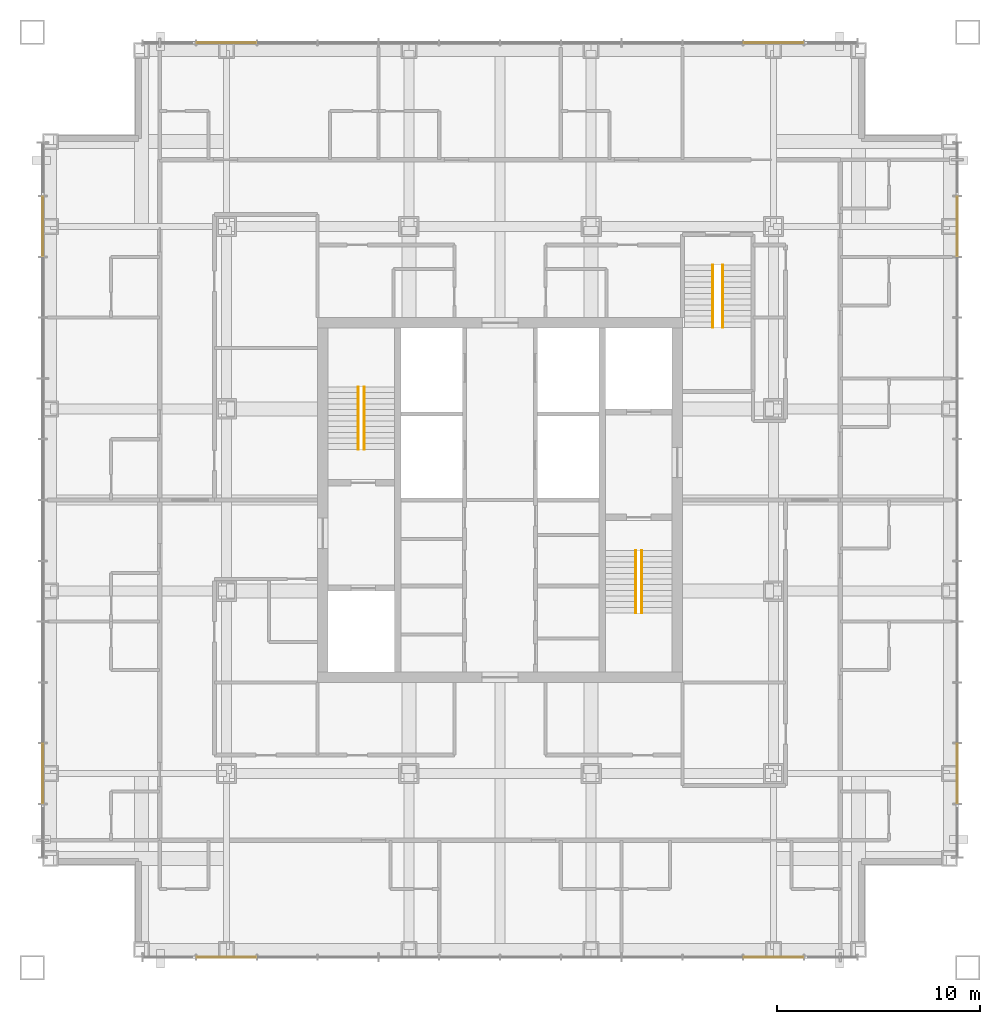
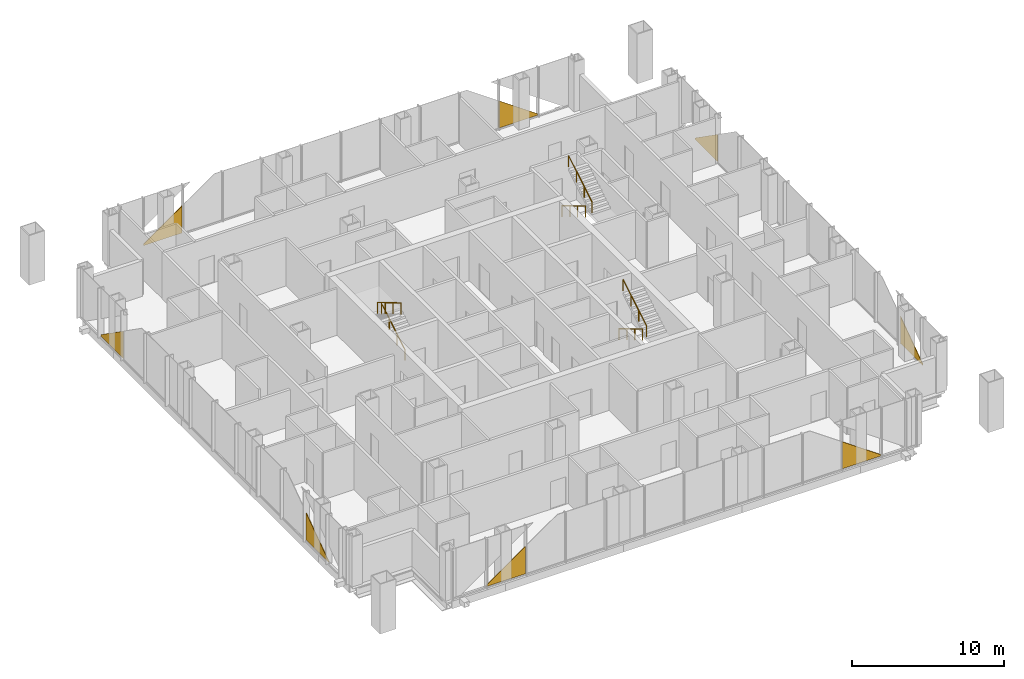
# One storey, part 11 of 15: 8 coverings, 6 railings.
"""IFC4 building model written with IfcOpenShell, lengths in metres."""

from ifc_helpers import new_model, si_unit, direction, frame, origin, origin_2d, place, context, subcontext, project, spatial, polyline, circle, outline, extrude, material, layer, layer_set, type_object, element, save


model = new_model("IFC4")

# Units and contexts
model_context = context("Model", 3, precision=1e-05, world=origin(), true_north=direction((0.0, 1.0)))
body_context = subcontext(model_context, "Body", "Model", "MODEL_VIEW")
ifc_project = project(units=[si_unit("LENGTHUNIT", "METRE"), si_unit("AREAUNIT", "SQUARE_METRE"), si_unit("VOLUMEUNIT", "CUBIC_METRE"), si_unit("PLANEANGLEUNIT", "RADIAN"), si_unit("MASSUNIT", "GRAM", prefix="KILO")], contexts=[model_context])

# Site, building, storey
site_placement = place(None, origin())
site = spatial("IfcSite", under=ifc_project, at=site_placement, CompositionType="ELEMENT")
building_placement = place(site_placement, origin())
building = spatial("IfcBuilding", under=site, at=building_placement, Name="Malebo Sky Hospital", CompositionType="ELEMENT")
storey_placement = place(building_placement, frame((0.0, 0.0, 181.0)))
storey = spatial("IfcBuildingStorey", under=building, at=storey_placement, Name="L43", CompositionType="ELEMENT", Elevation=181.0)

# Coverings
ifc_material_1 = material(Name="Anodised aluminium, natural silver insulated infill panel", Category="aluminium")
ifc_layer = layer(ifc_material_1, 0.0400390625)
ifc_layer_set = layer_set([ifc_layer], Name="BRACE INFILL PANEL 40")
covering_type = type_object("IfcCoveringType", Name="BRACE INFILL PANEL 40", PredefinedType="CLADDING", material=ifc_layer_set)
covering_1_placement = place(storey_placement, frame((46.5, 84.574951171875, 0.10009765625), z_axis=(0.0, 0.0, 1.0), x_axis=(1.0, 0.0, 0.0)))
element("IfcCovering", 1, at=covering_1_placement, inside=storey, type_object=covering_type, Name="Brace infill panel 3.1", PredefinedType="CLADDING", context=body_context, shape_type="SweptSolid", body=[
    extrude(outline(polyline([(-1.46240234375, 0.0), (1.46240234375, 0.0), (1.46240234375, 2.177978515625), (-1.46240234375, 0.123291015625), (-1.46240234375, 0.0)])), frame((0.0, 0.02001953125, 0.0), z_axis=(0.0, -1.0, 0.0), x_axis=(1.0, 0.0, 0.0)), (0.0, 0.0, 1.0), 0.0400390625),
])
covering_2_placement = place(storey_placement, frame((73.5, 84.574951171875, 0.10009765625), z_axis=(0.0, 0.0, 1.0), x_axis=(1.0, 0.0, 0.0)))
element("IfcCovering", 2, at=covering_2_placement, inside=storey, type_object=covering_type, Name="Brace infill panel 12.1", PredefinedType="CLADDING", context=body_context, shape_type="SweptSolid", body=[
    extrude(outline(polyline([(-1.46240234375, 0.0), (1.46240234375, 0.0), (1.46240234375, 0.123291015625), (-1.46240234375, 2.177978515625), (-1.46240234375, 0.0)])), frame((0.0, 0.02001953125, 0.0), z_axis=(0.0, -1.0, 0.0), x_axis=(1.0, 0.0, 0.0)), (0.0, 0.0, 1.0), 0.0400390625),
])
covering_3_placement = place(storey_placement, frame((37.425048828125, 48.5, 0.10009765625), z_axis=(0.0, 0.0, 1.0), x_axis=(0.0, 1.0, 0.0)))
element("IfcCovering", 3, at=covering_3_placement, inside=storey, type_object=covering_type, Name="Brace infill panel 3.1", PredefinedType="CLADDING", context=body_context, shape_type="SweptSolid", body=[
    extrude(outline(polyline([(-1.46240234375, 0.0), (1.46240234375, 0.0), (1.46240234375, 2.177978515625), (-1.46240234375, 0.123291015625), (-1.46240234375, 0.0)])), frame((0.0, 0.02001953125, 0.0), z_axis=(0.0, -1.0, 0.0), x_axis=(1.0, 0.0, 0.0)), (0.0, 0.0, 1.0), 0.0400390625),
])
covering_4_placement = place(storey_placement, frame((37.425048828125, 75.5, 0.10009765625), z_axis=(0.0, 0.0, 1.0), x_axis=(0.0, 1.0, 0.0)))
element("IfcCovering", 4, at=covering_4_placement, inside=storey, type_object=covering_type, Name="Brace infill panel 12.1", PredefinedType="CLADDING", context=body_context, shape_type="SweptSolid", body=[
    extrude(outline(polyline([(-1.46240234375, 0.0), (1.46240234375, 0.0), (1.46240234375, 0.123291015625), (-1.46240234375, 2.177978515625), (-1.46240234375, 0.0)])), frame((0.0, 0.02001953125, 0.0), z_axis=(0.0, -1.0, 0.0), x_axis=(1.0, 0.0, 0.0)), (0.0, 0.0, 1.0), 0.0400390625),
])
covering_5_placement = place(storey_placement, frame((73.5, 39.425048828125, 0.10009765625), z_axis=(0.0, 0.0, 1.0), x_axis=(-1.0, 0.0, 0.0)))
element("IfcCovering", 5, at=covering_5_placement, inside=storey, type_object=covering_type, Name="Brace infill panel 3.1", PredefinedType="CLADDING", context=body_context, shape_type="SweptSolid", body=[
    extrude(outline(polyline([(-1.46240234375, 0.0), (1.46240234375, 0.0), (1.46240234375, 2.177978515625), (-1.46240234375, 0.123291015625), (-1.46240234375, 0.0)])), frame((0.0, 0.02001953125, 0.0), z_axis=(0.0, -1.0, 0.0), x_axis=(1.0, 0.0, 0.0)), (0.0, 0.0, 1.0), 0.0400390625),
])
covering_6_placement = place(storey_placement, frame((46.5, 39.425048828125, 0.10009765625), z_axis=(0.0, 0.0, 1.0), x_axis=(-1.0, 0.0, 0.0)))
element("IfcCovering", 6, at=covering_6_placement, inside=storey, type_object=covering_type, Name="Brace infill panel 12.1", PredefinedType="CLADDING", context=body_context, shape_type="SweptSolid", body=[
    extrude(outline(polyline([(-1.46240234375, 0.0), (1.46240234375, 0.0), (1.46240234375, 0.123291015625), (-1.46240234375, 2.177978515625), (-1.46240234375, 0.0)])), frame((0.0, 0.02001953125, 0.0), z_axis=(0.0, -1.0, 0.0), x_axis=(1.0, 0.0, 0.0)), (0.0, 0.0, 1.0), 0.0400390625),
])
covering_7_placement = place(storey_placement, frame((82.574951171875, 75.5, 0.10009765625), z_axis=(0.0, 0.0, 1.0), x_axis=(0.0, -1.0, 0.0)))
element("IfcCovering", 7, at=covering_7_placement, inside=storey, type_object=covering_type, Name="Brace infill panel 3.1", PredefinedType="CLADDING", context=body_context, shape_type="SweptSolid", body=[
    extrude(outline(polyline([(-1.46240234375, 0.0), (1.46240234375, 0.0), (1.46240234375, 2.177978515625), (-1.46240234375, 0.123291015625), (-1.46240234375, 0.0)])), frame((0.0, 0.02001953125, 0.0), z_axis=(0.0, -1.0, 0.0), x_axis=(1.0, 0.0, 0.0)), (0.0, 0.0, 1.0), 0.0400390625),
])
covering_8_placement = place(storey_placement, frame((82.574951171875, 48.5, 0.10009765625), z_axis=(0.0, 0.0, 1.0), x_axis=(0.0, -1.0, 0.0)))
element("IfcCovering", 8, at=covering_8_placement, inside=storey, type_object=covering_type, Name="Brace infill panel 12.1", PredefinedType="CLADDING", context=body_context, shape_type="SweptSolid", body=[
    extrude(outline(polyline([(-1.46240234375, 0.0), (1.46240234375, 0.0), (1.46240234375, 0.123291015625), (-1.46240234375, 2.177978515625), (-1.46240234375, 0.0)])), frame((0.0, 0.02001953125, 0.0), z_axis=(0.0, -1.0, 0.0), x_axis=(1.0, 0.0, 0.0)), (0.0, 0.0, 1.0), 0.0400390625),
])

# Railings
ifc_material_2 = material(Name="Stainless steel tube", Category="steel")
railing_type = type_object("IfcRailingType", Name="STAIR HANDRAIL 900", PredefinedType="HANDRAIL", material=ifc_material_2)
railing_1_placement = place(storey_placement, frame((53.300048828125, 64.5, 0.166748046875)))
element("IfcRailing", 9, at=railing_1_placement, inside=storey, type_object=railing_type, Name="Stair handrail S1 flight 1", PredefinedType="HANDRAIL", context=body_context, shape_type="SweptSolid", body=[
    extrude(circle(Radius=0.02392578125, at=origin_2d()), frame((0.0, 0.0, 0.8759765625), z_axis=(0.0, 0.859308565015, 0.511457515432), x_axis=(-1.0, 0.0, 0.0)), (0.0, 0.0, 1.0), 3.58447265625),
    extrude(circle(Radius=0.02099609375, at=origin_2d()), origin(), (0.0, 0.0, 1.0), 0.851806640625),
    extrude(circle(Radius=0.02099609375, at=origin_2d()), frame((0.0, 1.026611328125, 0.611083984375)), (0.0, 0.0, 1.0), 0.851806640625),
    extrude(circle(Radius=0.02099609375, at=origin_2d()), frame((0.0, 2.053466796875, 1.22216796875)), (0.0, 0.0, 1.0), 0.851806640625),
    extrude(circle(Radius=0.02099609375, at=origin_2d()), frame((0.0, 3.080078125, 1.833251953125)), (0.0, 0.0, 1.0), 0.851806640625),
])
for number, where, name in (
    (10, (53.0, 67.580078125, 2.166748046875), "Stair handrail S1 flight 2"),
    (11, (66.699951171875, 59.5, 0.166748046875), "Stair handrail S2 flight 1"),
):
    element("IfcRailing", number, at=place(storey_placement, frame(where)), inside=storey, type_object=railing_type, Name=name, PredefinedType="HANDRAIL", context=body_context, shape_type="SweptSolid", body=[
        extrude(circle(Radius=0.02392578125, at=origin_2d()), frame((0.0, 0.0, 0.8759765625), z_axis=(0.0, -0.859308565015, 0.511457515432), x_axis=(1.0, 0.0, 0.0)), (0.0, 0.0, 1.0), 3.58447265625),
        extrude(circle(Radius=0.02099609375, at=origin_2d()), origin(), (0.0, 0.0, 1.0), 0.851806640625),
        extrude(circle(Radius=0.02099609375, at=origin_2d()), frame((0.0, -1.026611328125, 0.611083984375)), (0.0, 0.0, 1.0), 0.851806640625),
        extrude(circle(Radius=0.02099609375, at=origin_2d()), frame((0.0, -2.053466796875, 1.22216796875)), (0.0, 0.0, 1.0), 0.851806640625),
        extrude(circle(Radius=0.02099609375, at=origin_2d()), frame((0.0, -3.080078125, 1.833251953125)), (0.0, 0.0, 1.0), 0.851806640625),
    ])
railing_2_placement = place(storey_placement, frame((67.0, 56.419921875, 2.166748046875)))
element("IfcRailing", 12, at=railing_2_placement, inside=storey, type_object=railing_type, Name="Stair handrail S2 flight 2", PredefinedType="HANDRAIL", context=body_context, shape_type="SweptSolid", body=[
    extrude(circle(Radius=0.02392578125, at=origin_2d()), frame((0.0, 0.0, 0.8759765625), z_axis=(0.0, 0.859308565015, 0.511457515432), x_axis=(-1.0, 0.0, 0.0)), (0.0, 0.0, 1.0), 3.58447265625),
    extrude(circle(Radius=0.02099609375, at=origin_2d()), origin(), (0.0, 0.0, 1.0), 0.851806640625),
    extrude(circle(Radius=0.02099609375, at=origin_2d()), frame((0.0, 1.026611328125, 0.611083984375)), (0.0, 0.0, 1.0), 0.851806640625),
    extrude(circle(Radius=0.02099609375, at=origin_2d()), frame((0.0, 2.053466796875, 1.22216796875)), (0.0, 0.0, 1.0), 0.851806640625),
    extrude(circle(Radius=0.02099609375, at=origin_2d()), frame((0.0, 3.080078125, 1.833251953125)), (0.0, 0.0, 1.0), 0.851806640625),
])
railing_3_placement = place(storey_placement, frame((70.5, 73.60009765625, 0.166748046875)))
element("IfcRailing", 13, at=railing_3_placement, inside=storey, type_object=railing_type, Name="Stair handrail S3 flight 1", PredefinedType="HANDRAIL", context=body_context, shape_type="SweptSolid", body=[
    extrude(circle(Radius=0.02392578125, at=origin_2d()), frame((0.0, 0.0, 0.8759765625), z_axis=(0.0, -0.859308565015, 0.511457515432), x_axis=(1.0, 0.0, 0.0)), (0.0, 0.0, 1.0), 3.58447265625),
    extrude(circle(Radius=0.02099609375, at=origin_2d()), origin(), (0.0, 0.0, 1.0), 0.851806640625),
    extrude(circle(Radius=0.02099609375, at=origin_2d()), frame((0.0, -1.026611328125, 0.611083984375)), (0.0, 0.0, 1.0), 0.851806640625),
    extrude(circle(Radius=0.02099609375, at=origin_2d()), frame((0.0, -2.053466796875, 1.22216796875)), (0.0, 0.0, 1.0), 0.851806640625),
    extrude(circle(Radius=0.02099609375, at=origin_2d()), frame((0.0, -3.080078125, 1.833251953125)), (0.0, 0.0, 1.0), 0.851806640625),
])
railing_4_placement = place(storey_placement, frame((71.0, 70.52001953125, 2.166748046875)))
element("IfcRailing", 14, at=railing_4_placement, inside=storey, type_object=railing_type, Name="Stair handrail S3 flight 2", PredefinedType="HANDRAIL", context=body_context, shape_type="SweptSolid", body=[
    extrude(circle(Radius=0.02392578125, at=origin_2d()), frame((0.0, 0.0, 0.8759765625), z_axis=(0.0, 0.859308565015, 0.511457515432), x_axis=(-1.0, 0.0, 0.0)), (0.0, 0.0, 1.0), 3.58447265625),
    extrude(circle(Radius=0.02099609375, at=origin_2d()), origin(), (0.0, 0.0, 1.0), 0.851806640625),
    extrude(circle(Radius=0.02099609375, at=origin_2d()), frame((0.0, 1.026611328125, 0.611083984375)), (0.0, 0.0, 1.0), 0.851806640625),
    extrude(circle(Radius=0.02099609375, at=origin_2d()), frame((0.0, 2.053466796875, 1.22216796875)), (0.0, 0.0, 1.0), 0.851806640625),
    extrude(circle(Radius=0.02099609375, at=origin_2d()), frame((0.0, 3.080078125, 1.833251953125)), (0.0, 0.0, 1.0), 0.851806640625),
])

save(model, "model.ifc")
